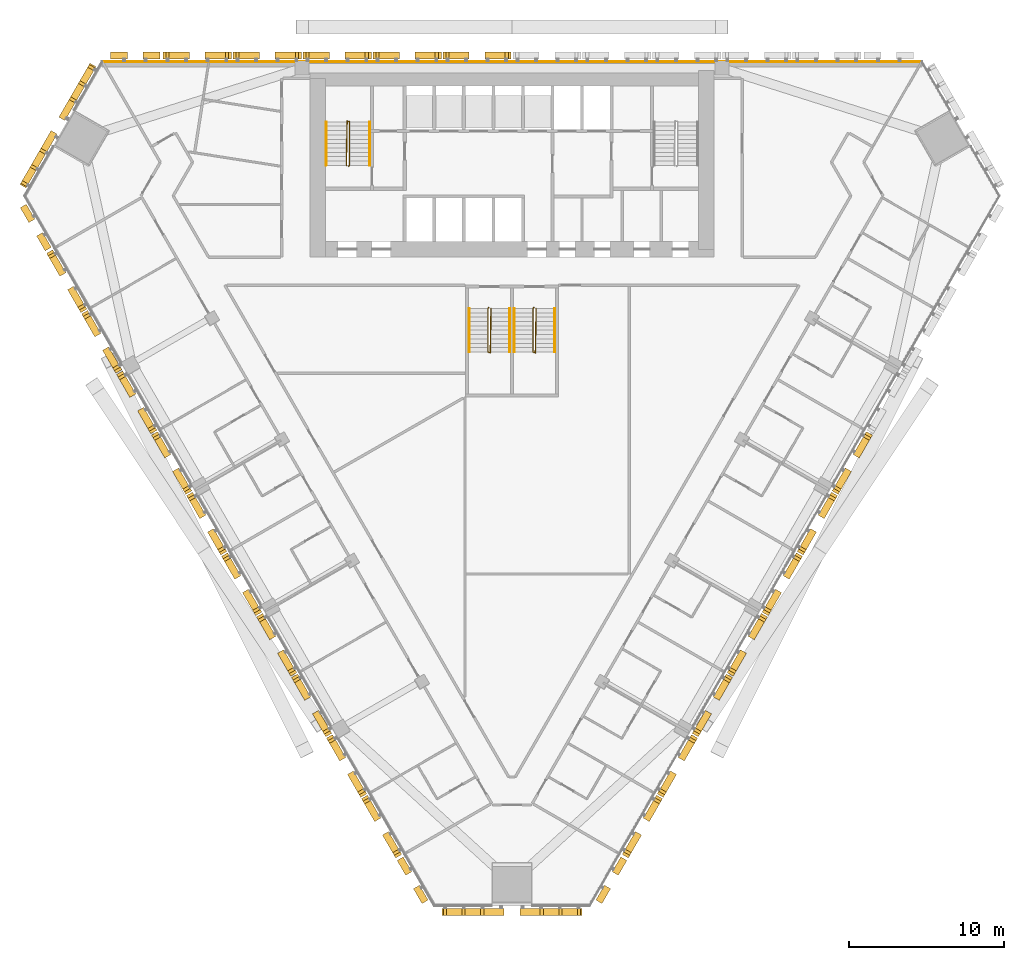
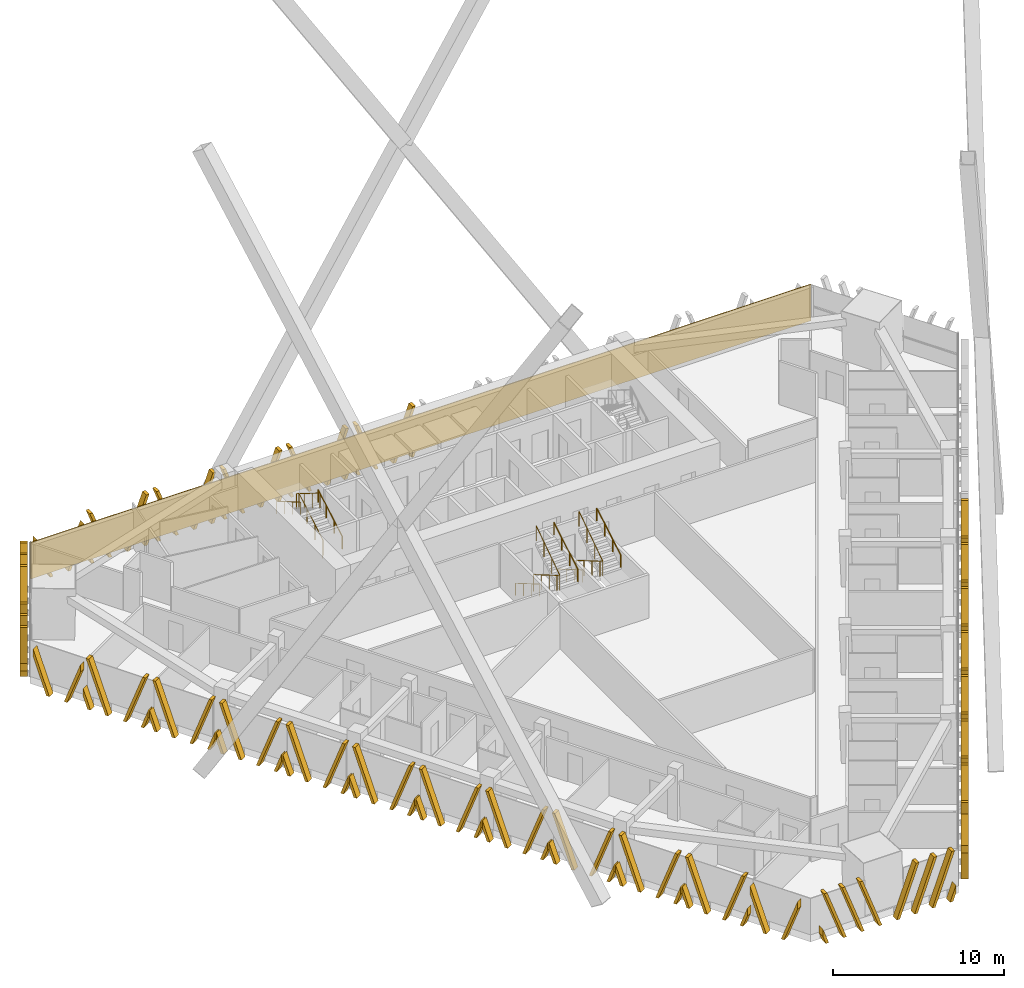
# One storey, part 22 of 24: 28 shading devices, 9 railings, 1 covering.
"""IFC4 building model written with IfcOpenShell, lengths in metres."""

from ifc_helpers import new_model, si_unit, direction, frame, frame_2d, origin, origin_2d, place, context, subcontext, project, spatial, polyline, rectangle, circle, outline, extrude, source, transform, mapped, material, layer, layer_set, type_object, element, save


model = new_model("IFC4")

# Units and contexts
model_context = context("Model", 3, precision=1e-05, world=origin(), true_north=direction((0.0, 1.0)))
body_context = subcontext(model_context, "Body", "Model", "MODEL_VIEW")
ifc_project = project(units=[si_unit("LENGTHUNIT", "METRE"), si_unit("AREAUNIT", "SQUARE_METRE"), si_unit("VOLUMEUNIT", "CUBIC_METRE"), si_unit("PLANEANGLEUNIT", "RADIAN"), si_unit("MASSUNIT", "GRAM", prefix="KILO")], contexts=[model_context])

# Site, building, storey
site_placement = place(None, origin())
site = spatial("IfcSite", under=ifc_project, at=site_placement, CompositionType="ELEMENT")
building_placement = place(site_placement, origin())
building = spatial("IfcBuilding", under=site, at=building_placement, Name="Altiplano Prism Tower", CompositionType="ELEMENT")
storey_placement = place(building_placement, frame((0.0, 0.0, 27.0)))
storey = spatial("IfcBuildingStorey", under=building, at=storey_placement, Name="L05", CompositionType="ELEMENT", Elevation=27.0)

# Railings
ifc_material_1 = material(Name="Steel S355", Category="steel")
railing_type_1 = type_object("IfcRailingType", Name="Stair guard 1100", PredefinedType="GUARDRAIL", material=ifc_material_1)
railing_1_placement = place(storey_placement, frame((74.5, 98.25, 0.0)))
element("IfcRailing", 1, at=railing_1_placement, inside=storey, type_object=railing_type_1, Name="L05 ST1 stair guard 1", PredefinedType="GUARDRAIL", context=body_context, shape_type="SweptSolid", body=[
    extrude(circle(Radius=0.02392578125, at=origin_2d()), frame((0.0, 0.0, 1.076171875), z_axis=(0.280808744504, 0.280808744504, 0.917765164963), x_axis=(-0.707106781187, 0.707106781187, 0.0)), (0.0, 0.0, 1.0), 0.17822265625),
    extrude(circle(Radius=0.02392578125, at=origin_2d()), frame((0.050048828125, 0.050048828125, 1.23974609375), z_axis=(0.0, 0.863360870873, 0.504586966384), x_axis=(-1.0, 0.0, 0.0)), (0.0, 0.0, 1.0), 3.2431640625),
    extrude(circle(Radius=0.02392578125, at=origin_2d()), frame((0.050048828125, 2.85009765625, 2.8759765625), z_axis=(-0.949145278916, 0.314838433982, 0.0), x_axis=(-0.314838433982, -0.949145278916, 0.0)), (0.0, 0.0, 1.0), 0.158203125),
    extrude(circle(Radius=0.02392578125, at=origin_2d()), frame((-0.10009765625, 2.89990234375, 2.8759765625), z_axis=(-0.01477401265, -0.845377694409, 0.533964682676), x_axis=(0.999847325713, -0.01747355902, 0.0)), (0.0, 0.0, 1.0), 3.37109375),
    extrude(circle(Radius=0.02099609375, at=origin_2d()), origin(), (0.0, 0.0, 1.0), 1.052001953125),
    extrude(circle(Radius=0.02099609375, at=origin_2d()), frame((0.050048828125, 0.050048828125, 0.16357421875)), (0.0, 0.0, 1.0), 1.052001953125),
    extrude(circle(Radius=0.02099609375, at=origin_2d()), frame((0.050048828125, 0.9833984375, 0.708984375)), (0.0, 0.0, 1.0), 1.052001953125),
    extrude(circle(Radius=0.02099609375, at=origin_2d()), frame((0.050048828125, 1.916748046875, 1.254638671875)), (0.0, 0.0, 1.0), 1.052001953125),
    extrude(circle(Radius=0.02099609375, at=origin_2d()), frame((0.050048828125, 2.85009765625, 1.800048828125)), (0.0, 0.0, 1.0), 1.052001953125),
    extrude(circle(Radius=0.02099609375, at=origin_2d()), frame((-0.10009765625, 2.89990234375, 1.800048828125)), (0.0, 0.0, 1.0), 1.052001953125),
    extrude(circle(Radius=0.02099609375, at=origin_2d()), frame((-0.11669921875, 1.949951171875, 2.400146484375)), (0.0, 0.0, 1.0), 1.052001953125),
    extrude(circle(Radius=0.02099609375, at=origin_2d()), frame((-0.13330078125, 1.0, 3.0)), (0.0, 0.0, 1.0), 1.052001953125),
    extrude(circle(Radius=0.02099609375, at=origin_2d()), frame((-0.14990234375, 0.050048828125, 3.60009765625)), (0.0, 0.0, 1.0), 1.052001953125),
])
railing_2_placement = place(storey_placement, frame((83.5, 89.14990234375, 0.0)))
element("IfcRailing", 2, at=railing_2_placement, inside=storey, type_object=railing_type_1, Name="L05 ST3A stair guard 1", PredefinedType="GUARDRAIL", context=body_context, shape_type="SweptSolid", body=[
    extrude(circle(Radius=0.02392578125, at=origin_2d()), frame((0.0, 0.0, 1.076171875), z_axis=(-0.280916556609, -0.279546231943, 0.91811752648), x_axis=(0.705375805398, -0.708833529934, 0.0)), (0.0, 0.0, 1.0), 0.17822265625),
    extrude(circle(Radius=0.02392578125, at=origin_2d()), frame((-0.050048828125, -0.0498046875, 1.23974609375), z_axis=(0.0, -0.863360870873, 0.504586966384), x_axis=(1.0, 0.0, 0.0)), (0.0, 0.0, 1.0), 3.2431640625),
    extrude(circle(Radius=0.02392578125, at=origin_2d()), frame((-0.050048828125, -2.849853515625, 2.8759765625), z_axis=(0.948683298051, -0.316227766017, 0.0), x_axis=(0.316227766017, 0.948683298051, 0.0)), (0.0, 0.0, 1.0), 0.158203125),
    extrude(circle(Radius=0.02392578125, at=origin_2d()), frame((0.10009765625, -2.89990234375, 2.8759765625), z_axis=(0.014773108175, 0.84539835705, 0.533931993021), x_axis=(-0.999847351862, 0.017472062685, 0.0)), (0.0, 0.0, 1.0), 3.371337890625),
    extrude(circle(Radius=0.02099609375, at=origin_2d()), origin(), (0.0, 0.0, 1.0), 1.052001953125),
    extrude(circle(Radius=0.02099609375, at=origin_2d()), frame((-0.050048828125, -0.0498046875, 0.16357421875)), (0.0, 0.0, 1.0), 1.052001953125),
    extrude(circle(Radius=0.02099609375, at=origin_2d()), frame((-0.050048828125, -0.983154296875, 0.708984375)), (0.0, 0.0, 1.0), 1.052001953125),
    extrude(circle(Radius=0.02099609375, at=origin_2d()), frame((-0.050048828125, -1.91650390625, 1.254638671875)), (0.0, 0.0, 1.0), 1.052001953125),
    extrude(circle(Radius=0.02099609375, at=origin_2d()), frame((-0.050048828125, -2.849853515625, 1.800048828125)), (0.0, 0.0, 1.0), 1.052001953125),
    extrude(circle(Radius=0.02099609375, at=origin_2d()), frame((0.10009765625, -2.89990234375, 1.800048828125)), (0.0, 0.0, 1.0), 1.052001953125),
    extrude(circle(Radius=0.02099609375, at=origin_2d()), frame((0.11669921875, -1.949951171875, 2.400146484375)), (0.0, 0.0, 1.0), 1.052001953125),
    extrude(circle(Radius=0.02099609375, at=origin_2d()), frame((0.13330078125, -0.999755859375, 3.0)), (0.0, 0.0, 1.0), 1.052001953125),
    extrude(circle(Radius=0.02099609375, at=origin_2d()), frame((0.14990234375, -0.0498046875, 3.60009765625)), (0.0, 0.0, 1.0), 1.052001953125),
])
railing_3_placement = place(storey_placement, frame((86.39990234375, 89.14990234375, 0.0)))
element("IfcRailing", 3, at=railing_3_placement, inside=storey, type_object=railing_type_1, Name="L05 ST3B stair guard 1", PredefinedType="GUARDRAIL", context=body_context, shape_type="SweptSolid", body=[
    extrude(circle(Radius=0.02392578125, at=origin_2d()), frame((0.0, 0.0, 1.076171875), z_axis=(-0.279653641804, -0.279653641804, 0.918470294159), x_axis=(0.707106781187, -0.707106781187, 0.0)), (0.0, 0.0, 1.0), 0.177978515625),
    extrude(circle(Radius=0.02392578125, at=origin_2d()), frame((-0.0498046875, -0.0498046875, 1.23974609375), z_axis=(0.0, -0.863360870873, 0.504586966384), x_axis=(1.0, 0.0, 0.0)), (0.0, 0.0, 1.0), 3.2431640625),
    extrude(circle(Radius=0.02392578125, at=origin_2d()), frame((-0.0498046875, -2.849853515625, 2.8759765625), z_axis=(0.948528701346, -0.316691178788, 0.0), x_axis=(0.316691178788, 0.948528701346, 0.0)), (0.0, 0.0, 1.0), 0.157958984375),
    extrude(circle(Radius=0.02392578125, at=origin_2d()), frame((0.10009765625, -2.89990234375, 2.8759765625), z_axis=(0.014845509451, 0.845397450405, 0.533931420407), x_axis=(-0.999845851991, 0.017557683712, 0.0)), (0.0, 0.0, 1.0), 3.371337890625),
    extrude(circle(Radius=0.02099609375, at=origin_2d()), origin(), (0.0, 0.0, 1.0), 1.052001953125),
    extrude(circle(Radius=0.02099609375, at=origin_2d()), frame((-0.0498046875, -0.0498046875, 0.16357421875)), (0.0, 0.0, 1.0), 1.052001953125),
    extrude(circle(Radius=0.02099609375, at=origin_2d()), frame((-0.0498046875, -0.983154296875, 0.708984375)), (0.0, 0.0, 1.0), 1.052001953125),
    extrude(circle(Radius=0.02099609375, at=origin_2d()), frame((-0.0498046875, -1.91650390625, 1.254638671875)), (0.0, 0.0, 1.0), 1.052001953125),
    extrude(circle(Radius=0.02099609375, at=origin_2d()), frame((-0.0498046875, -2.849853515625, 1.800048828125)), (0.0, 0.0, 1.0), 1.052001953125),
    extrude(circle(Radius=0.02099609375, at=origin_2d()), frame((0.10009765625, -2.89990234375, 1.800048828125)), (0.0, 0.0, 1.0), 1.052001953125),
    extrude(circle(Radius=0.02099609375, at=origin_2d()), frame((0.11669921875, -1.949951171875, 2.400146484375)), (0.0, 0.0, 1.0), 1.052001953125),
    extrude(circle(Radius=0.02099609375, at=origin_2d()), frame((0.133544921875, -0.999755859375, 3.0)), (0.0, 0.0, 1.0), 1.052001953125),
    extrude(circle(Radius=0.02099609375, at=origin_2d()), frame((0.150146484375, -0.0498046875, 3.60009765625)), (0.0, 0.0, 1.0), 1.052001953125),
])
railing_type_2 = type_object("IfcRailingType", Name="Stair handrail 900", PredefinedType="HANDRAIL", material=ifc_material_1)
railing_4_placement = place(storey_placement, frame((75.85009765625, 98.300048828125, 0.16357421875)))
element("IfcRailing", 4, at=railing_4_placement, inside=storey, type_object=railing_type_2, Name="L05 ST1 stair handrail 1", PredefinedType="HANDRAIL", context=body_context, shape_type="SweptSolid", body=[
    extrude(circle(Radius=0.02392578125, at=origin_2d()), frame((0.0, 0.0, 0.8759765625), z_axis=(0.0, 0.863360870873, 0.504586966384), x_axis=(-1.0, 0.0, 0.0)), (0.0, 0.0, 1.0), 3.2431640625),
    extrude(circle(Radius=0.02099609375, at=origin_2d()), origin(), (0.0, 0.0, 1.0), 0.851806640625),
    extrude(circle(Radius=0.02099609375, at=origin_2d()), frame((0.0, 0.933349609375, 0.54541015625)), (0.0, 0.0, 1.0), 0.851806640625),
    extrude(circle(Radius=0.02099609375, at=origin_2d()), frame((0.0, 1.86669921875, 1.091064453125)), (0.0, 0.0, 1.0), 0.851806640625),
    extrude(circle(Radius=0.02099609375, at=origin_2d()), frame((0.0, 2.800048828125, 1.636474609375)), (0.0, 0.0, 1.0), 0.851806640625),
])
for number, where, name in (
    (5, (73.050048828125, 101.10009765625, 1.963623046875), "L05 ST1 stair handrail 2"),
    (6, (82.25, 89.10009765625, 0.16357421875), "L05 ST3A stair handrail 1"),
):
    element("IfcRailing", number, at=place(storey_placement, frame(where)), inside=storey, type_object=railing_type_2, Name=name, PredefinedType="HANDRAIL", context=body_context, shape_type="SweptSolid", body=[
        extrude(circle(Radius=0.02392578125, at=origin_2d()), frame((0.0, 0.0, 0.8759765625), z_axis=(0.0, -0.863360870873, 0.504586966384), x_axis=(1.0, 0.0, 0.0)), (0.0, 0.0, 1.0), 3.2431640625),
        extrude(circle(Radius=0.02099609375, at=origin_2d()), origin(), (0.0, 0.0, 1.0), 0.851806640625),
        extrude(circle(Radius=0.02099609375, at=origin_2d()), frame((0.0, -0.933349609375, 0.54541015625)), (0.0, 0.0, 1.0), 0.851806640625),
        extrude(circle(Radius=0.02099609375, at=origin_2d()), frame((0.0, -1.86669921875, 1.091064453125)), (0.0, 0.0, 1.0), 0.851806640625),
        extrude(circle(Radius=0.02099609375, at=origin_2d()), frame((0.0, -2.800048828125, 1.636474609375)), (0.0, 0.0, 1.0), 0.851806640625),
    ])
railing_5_placement = place(storey_placement, frame((84.85009765625, 86.300048828125, 1.963623046875)))
element("IfcRailing", 7, at=railing_5_placement, inside=storey, type_object=railing_type_2, Name="L05 ST3A stair handrail 2", PredefinedType="HANDRAIL", context=body_context, shape_type="SweptSolid", body=[
    extrude(circle(Radius=0.02392578125, at=origin_2d()), frame((0.0, 0.0, 0.8759765625), z_axis=(0.0, 0.863360870873, 0.504586966384), x_axis=(-1.0, 0.0, 0.0)), (0.0, 0.0, 1.0), 3.2431640625),
    extrude(circle(Radius=0.02099609375, at=origin_2d()), origin(), (0.0, 0.0, 1.0), 0.851806640625),
    extrude(circle(Radius=0.02099609375, at=origin_2d()), frame((0.0, 0.933349609375, 0.54541015625)), (0.0, 0.0, 1.0), 0.851806640625),
    extrude(circle(Radius=0.02099609375, at=origin_2d()), frame((0.0, 1.86669921875, 1.091064453125)), (0.0, 0.0, 1.0), 0.851806640625),
    extrude(circle(Radius=0.02099609375, at=origin_2d()), frame((0.0, 2.800048828125, 1.636474609375)), (0.0, 0.0, 1.0), 0.851806640625),
])
railing_6_placement = place(storey_placement, frame((85.14990234375, 89.10009765625, 0.16357421875)))
element("IfcRailing", 8, at=railing_6_placement, inside=storey, type_object=railing_type_2, Name="L05 ST3B stair handrail 1", PredefinedType="HANDRAIL", context=body_context, shape_type="SweptSolid", body=[
    extrude(circle(Radius=0.02392578125, at=origin_2d()), frame((0.0, 0.0, 0.8759765625), z_axis=(0.0, -0.863360870873, 0.504586966384), x_axis=(1.0, 0.0, 0.0)), (0.0, 0.0, 1.0), 3.2431640625),
    extrude(circle(Radius=0.02099609375, at=origin_2d()), origin(), (0.0, 0.0, 1.0), 0.851806640625),
    extrude(circle(Radius=0.02099609375, at=origin_2d()), frame((0.0, -0.933349609375, 0.54541015625)), (0.0, 0.0, 1.0), 0.851806640625),
    extrude(circle(Radius=0.02099609375, at=origin_2d()), frame((0.0, -1.86669921875, 1.091064453125)), (0.0, 0.0, 1.0), 0.851806640625),
    extrude(circle(Radius=0.02099609375, at=origin_2d()), frame((0.0, -2.800048828125, 1.636474609375)), (0.0, 0.0, 1.0), 0.851806640625),
])
railing_7_placement = place(storey_placement, frame((87.75, 86.300048828125, 1.963623046875)))
element("IfcRailing", 9, at=railing_7_placement, inside=storey, type_object=railing_type_2, Name="L05 ST3B stair handrail 2", PredefinedType="HANDRAIL", context=body_context, shape_type="SweptSolid", body=[
    extrude(circle(Radius=0.02392578125, at=origin_2d()), frame((0.0, 0.0, 0.8759765625), z_axis=(0.0, 0.863360870873, 0.504586966384), x_axis=(-1.0, 0.0, 0.0)), (0.0, 0.0, 1.0), 3.2431640625),
    extrude(circle(Radius=0.02099609375, at=origin_2d()), origin(), (0.0, 0.0, 1.0), 0.851806640625),
    extrude(circle(Radius=0.02099609375, at=origin_2d()), frame((0.0, 0.933349609375, 0.54541015625)), (0.0, 0.0, 1.0), 0.851806640625),
    extrude(circle(Radius=0.02099609375, at=origin_2d()), frame((0.0, 1.86669921875, 1.091064453125)), (0.0, 0.0, 1.0), 0.851806640625),
    extrude(circle(Radius=0.02099609375, at=origin_2d()), frame((0.0, 2.800048828125, 1.636474609375)), (0.0, 0.0, 1.0), 0.851806640625),
])

# Covering
ifc_material_2 = material(Name="Warm limestone cast stone", Category="masonry")
ifc_layer = layer(ifc_material_2, 0.06005859375)
ifc_layer_set = layer_set([ifc_layer], Name="Warm limestone cast stone")
covering_type = type_object("IfcCoveringType", Name="Stone cladding 60", PredefinedType="CLADDING", material=ifc_layer_set)
covering_placement = place(storey_placement, frame((58.626953125, 104.969970703125, 0.0), z_axis=(0.0, 0.0, 1.0), x_axis=(1.0, 0.0, 0.0)))
element("IfcCovering", 10, at=covering_placement, inside=storey, type_object=covering_type, Name="Stone cladding north face L05", PredefinedType="CLADDING", context=body_context, shape_type="SweptSolid", body=[
    extrude(rectangle(XDim=52.74609375, YDim=0.06005859375, at=frame_2d((26.373046875, 0.0))), origin(), (0.0, 0.0, 1.0), 2.60009765625),
])

# Shading devices
shading_device_type_1 = type_object("IfcShadingDeviceType", Name="Stone fin panel, narrow closing bay", PredefinedType="USERDEFINED", material=ifc_material_2)
shared_shape_1 = source(origin(), body_context, "Body", "SweptSolid", [
    extrude(outline(polyline([(-1.60009765625, 3.022216796875), (-1.60009765625, 2.47265625), (-0.699951171875, 0.0), (-0.5, 0.0), (-1.60009765625, 3.022216796875)])), frame((0.0, -0.14990234375, 0.0), z_axis=(0.0, -1.0, 0.0), x_axis=(1.0, 0.0, 0.0)), (0.0, 0.0, 1.0), 0.4501953125),
    extrude(outline(polyline([(1.60009765625, 2.47265625), (1.60009765625, 3.022216796875), (0.5, 0.0), (0.699951171875, 0.0), (1.60009765625, 2.47265625)])), frame((0.0, -0.14990234375, 0.0), z_axis=(0.0, -1.0, 0.0), x_axis=(1.0, 0.0, 0.0)), (0.0, 0.0, 1.0), 0.4501953125),
])
shading_device_1_placement = place(storey_placement, origin())
element("IfcShadingDevice", 11, at=shading_device_1_placement, inside=storey, type_object=shading_device_type_1, Name="Fin L05 north face 12", ObjectType="FIN", PredefinedType="USERDEFINED", context=body_context, shape_type="MappedRepresentation", body=[
    mapped(shared_shape_1, transform((60.763427734375, 105.0, -0.5), x_axis=(-1.0, 0.0, 0.0), y_axis=(0.0, -1.0, 0.0), z_axis=(0.0, 0.0, 1.0))),
])
shading_device_2_placement = place(storey_placement, origin())
element("IfcShadingDevice", 12, at=shading_device_2_placement, inside=storey, type_object=shading_device_type_1, Name="Fin L05 south-west face 1", ObjectType="FIN", PredefinedType="USERDEFINED", context=body_context, shape_type="MappedRepresentation", body=[
    mapped(shared_shape_1, transform((54.6953125, 94.489501953125, -0.5), x_axis=(0.499999999907, -0.866025403838, 0.0), y_axis=(0.866025403838, 0.499999999907, 0.0), z_axis=(0.0, 0.0, 1.0))),
])
shading_device_3_placement = place(storey_placement, origin())
element("IfcShadingDevice", 13, at=shading_device_3_placement, inside=storey, type_object=shading_device_type_1, Name="Fin L05 south-west face 12", ObjectType="FIN", PredefinedType="USERDEFINED", context=body_context, shape_type="MappedRepresentation", body=[
    mapped(shared_shape_1, transform((78.931640625, 52.510498046875, -0.5), x_axis=(0.499999999907, -0.866025403838, 0.0), y_axis=(0.866025403838, 0.499999999907, 0.0), z_axis=(0.0, 0.0, 1.0))),
])
shading_device_4_placement = place(storey_placement, origin())
element("IfcShadingDevice", 14, at=shading_device_4_placement, inside=storey, type_object=shading_device_type_1, Name="Fin L05 south-east face 1", ObjectType="FIN", PredefinedType="USERDEFINED", context=body_context, shape_type="MappedRepresentation", body=[
    mapped(shared_shape_1, transform((91.068359375, 52.510498046875, -0.5), x_axis=(0.499999999907, 0.866025403838, 0.0), y_axis=(-0.866025403838, 0.499999999907, 0.0), z_axis=(0.0, 0.0, 1.0))),
])
shading_device_type_2 = type_object("IfcShadingDeviceType", Name="Stone fin panel, standard unit", PredefinedType="USERDEFINED", material=ifc_material_2)
shared_shape_2 = source(origin(), body_context, "Body", "SweptSolid", [
    extrude(outline(polyline([(-2.199951171875, 1.373779296875), (-2.199951171875, 0.82421875), (-1.89990234375, 0.0), (-1.699951171875, 0.0), (-2.199951171875, 1.373779296875)])), frame((0.0, -0.14990234375, 0.0), z_axis=(0.0, -1.0, 0.0), x_axis=(1.0, 0.0, 0.0)), (0.0, 0.0, 1.0), 0.4501953125),
    extrude(outline(polyline([(-2.01025390625, 3.60009765625), (-0.699951171875, 0.0), (-0.5, 0.0), (-1.810302734375, 3.60009765625), (-2.01025390625, 3.60009765625)])), frame((0.0, -0.14990234375, 0.0), z_axis=(0.0, -1.0, 0.0), x_axis=(1.0, 0.0, 0.0)), (0.0, 0.0, 1.0), 0.4501953125),
    extrude(outline(polyline([(1.810302734375, 3.60009765625), (0.5, 0.0), (0.699951171875, 0.0), (2.01025390625, 3.60009765625), (1.810302734375, 3.60009765625)])), frame((0.0, -0.14990234375, 0.0), z_axis=(0.0, -1.0, 0.0), x_axis=(1.0, 0.0, 0.0)), (0.0, 0.0, 1.0), 0.4501953125),
    extrude(outline(polyline([(2.199951171875, 0.82421875), (2.199951171875, 1.373779296875), (1.699951171875, 0.0), (1.89990234375, 0.0), (2.199951171875, 0.82421875)])), frame((0.0, -0.14990234375, 0.0), z_axis=(0.0, -1.0, 0.0), x_axis=(1.0, 0.0, 0.0)), (0.0, 0.0, 1.0), 0.4501953125),
])
shading_device_5_placement = place(storey_placement, origin())
element("IfcShadingDevice", 15, at=shading_device_5_placement, inside=storey, type_object=shading_device_type_2, Name="Fin L05 north face 7", ObjectType="FIN", PredefinedType="USERDEFINED", context=body_context, shape_type="MappedRepresentation", body=[
    mapped(shared_shape_2, transform((82.75, 105.0, -0.5), x_axis=(-1.0, 0.0, 0.0), y_axis=(0.0, -1.0, 0.0), z_axis=(0.0, 0.0, 1.0))),
])
shading_device_6_placement = place(storey_placement, origin())
element("IfcShadingDevice", 16, at=shading_device_6_placement, inside=storey, type_object=shading_device_type_2, Name="Fin L05 north face 8", ObjectType="FIN", PredefinedType="USERDEFINED", context=body_context, shape_type="MappedRepresentation", body=[
    mapped(shared_shape_2, transform((78.25, 105.0, -0.5), x_axis=(-1.0, 0.0, 0.0), y_axis=(0.0, -1.0, 0.0), z_axis=(0.0, 0.0, 1.0))),
])
shading_device_7_placement = place(storey_placement, origin())
element("IfcShadingDevice", 17, at=shading_device_7_placement, inside=storey, type_object=shading_device_type_2, Name="Fin L05 north face 9", ObjectType="FIN", PredefinedType="USERDEFINED", context=body_context, shape_type="MappedRepresentation", body=[
    mapped(shared_shape_2, transform((73.75, 105.0, -0.5), x_axis=(-1.0, 0.0, 0.0), y_axis=(0.0, -1.0, 0.0), z_axis=(0.0, 0.0, 1.0))),
])
shading_device_8_placement = place(storey_placement, origin())
element("IfcShadingDevice", 18, at=shading_device_8_placement, inside=storey, type_object=shading_device_type_2, Name="Fin L05 north face 10", ObjectType="FIN", PredefinedType="USERDEFINED", context=body_context, shape_type="MappedRepresentation", body=[
    mapped(shared_shape_2, transform((69.25, 105.0, -0.5), x_axis=(-1.0, 0.0, 0.0), y_axis=(0.0, -1.0, 0.0), z_axis=(0.0, 0.0, 1.0))),
])
shading_device_9_placement = place(storey_placement, origin())
element("IfcShadingDevice", 19, at=shading_device_9_placement, inside=storey, type_object=shading_device_type_2, Name="Fin L05 north face 11", ObjectType="FIN", PredefinedType="USERDEFINED", context=body_context, shape_type="MappedRepresentation", body=[
    mapped(shared_shape_2, transform((64.75, 105.0, -0.5), x_axis=(-1.0, 0.0, 0.0), y_axis=(0.0, -1.0, 0.0), z_axis=(0.0, 0.0, 1.0))),
])
shading_device_10_placement = place(storey_placement, origin())
element("IfcShadingDevice", 20, at=shading_device_10_placement, inside=storey, type_object=shading_device_type_2, Name="Fin L05 south-west face 2", ObjectType="FIN", PredefinedType="USERDEFINED", context=body_context, shape_type="MappedRepresentation", body=[
    mapped(shared_shape_2, transform((56.6884765625, 91.037109375, -0.5), x_axis=(0.499999999907, -0.866025403838, 0.0), y_axis=(0.866025403838, 0.499999999907, 0.0), z_axis=(0.0, 0.0, 1.0))),
])
shading_device_11_placement = place(storey_placement, origin())
element("IfcShadingDevice", 21, at=shading_device_11_placement, inside=storey, type_object=shading_device_type_2, Name="Fin L05 south-west face 3", ObjectType="FIN", PredefinedType="USERDEFINED", context=body_context, shape_type="MappedRepresentation", body=[
    mapped(shared_shape_2, transform((58.9384765625, 87.139892578125, -0.5), x_axis=(0.499999999907, -0.866025403838, 0.0), y_axis=(0.866025403838, 0.499999999907, 0.0), z_axis=(0.0, 0.0, 1.0))),
])
shading_device_12_placement = place(storey_placement, origin())
element("IfcShadingDevice", 22, at=shading_device_12_placement, inside=storey, type_object=shading_device_type_2, Name="Fin L05 south-west face 4", ObjectType="FIN", PredefinedType="USERDEFINED", context=body_context, shape_type="MappedRepresentation", body=[
    mapped(shared_shape_2, transform((61.1884765625, 83.24267578125, -0.5), x_axis=(0.499999999907, -0.866025403838, 0.0), y_axis=(0.866025403838, 0.499999999907, 0.0), z_axis=(0.0, 0.0, 1.0))),
])
shading_device_13_placement = place(storey_placement, origin())
element("IfcShadingDevice", 23, at=shading_device_13_placement, inside=storey, type_object=shading_device_type_2, Name="Fin L05 south-west face 5", ObjectType="FIN", PredefinedType="USERDEFINED", context=body_context, shape_type="MappedRepresentation", body=[
    mapped(shared_shape_2, transform((63.4384765625, 79.345703125, -0.5), x_axis=(0.499999999907, -0.866025403838, 0.0), y_axis=(0.866025403838, 0.499999999907, 0.0), z_axis=(0.0, 0.0, 1.0))),
])
shading_device_14_placement = place(storey_placement, origin())
element("IfcShadingDevice", 24, at=shading_device_14_placement, inside=storey, type_object=shading_device_type_2, Name="Fin L05 south-west face 6", ObjectType="FIN", PredefinedType="USERDEFINED", context=body_context, shape_type="MappedRepresentation", body=[
    mapped(shared_shape_2, transform((65.6884765625, 75.448486328125, -0.5), x_axis=(0.499999999907, -0.866025403838, 0.0), y_axis=(0.866025403838, 0.499999999907, 0.0), z_axis=(0.0, 0.0, 1.0))),
])
shading_device_15_placement = place(storey_placement, origin())
element("IfcShadingDevice", 25, at=shading_device_15_placement, inside=storey, type_object=shading_device_type_2, Name="Fin L05 south-west face 7", ObjectType="FIN", PredefinedType="USERDEFINED", context=body_context, shape_type="MappedRepresentation", body=[
    mapped(shared_shape_2, transform((67.9384765625, 71.551513671875, -0.5), x_axis=(0.499999999907, -0.866025403838, 0.0), y_axis=(0.866025403838, 0.499999999907, 0.0), z_axis=(0.0, 0.0, 1.0))),
])
shading_device_16_placement = place(storey_placement, origin())
element("IfcShadingDevice", 26, at=shading_device_16_placement, inside=storey, type_object=shading_device_type_2, Name="Fin L05 south-west face 8", ObjectType="FIN", PredefinedType="USERDEFINED", context=body_context, shape_type="MappedRepresentation", body=[
    mapped(shared_shape_2, transform((70.1884765625, 67.654296875, -0.5), x_axis=(0.499999999907, -0.866025403838, 0.0), y_axis=(0.866025403838, 0.499999999907, 0.0), z_axis=(0.0, 0.0, 1.0))),
])
shading_device_17_placement = place(storey_placement, origin())
element("IfcShadingDevice", 27, at=shading_device_17_placement, inside=storey, type_object=shading_device_type_2, Name="Fin L05 south-west face 9", ObjectType="FIN", PredefinedType="USERDEFINED", context=body_context, shape_type="MappedRepresentation", body=[
    mapped(shared_shape_2, transform((72.4384765625, 63.75732421875, -0.5), x_axis=(0.499999999907, -0.866025403838, 0.0), y_axis=(0.866025403838, 0.499999999907, 0.0), z_axis=(0.0, 0.0, 1.0))),
])
shading_device_18_placement = place(storey_placement, origin())
element("IfcShadingDevice", 28, at=shading_device_18_placement, inside=storey, type_object=shading_device_type_2, Name="Fin L05 south-west face 10", ObjectType="FIN", PredefinedType="USERDEFINED", context=body_context, shape_type="MappedRepresentation", body=[
    mapped(shared_shape_2, transform((74.6884765625, 59.860107421875, -0.5), x_axis=(0.499999999907, -0.866025403838, 0.0), y_axis=(0.866025403838, 0.499999999907, 0.0), z_axis=(0.0, 0.0, 1.0))),
])
shading_device_19_placement = place(storey_placement, origin())
element("IfcShadingDevice", 29, at=shading_device_19_placement, inside=storey, type_object=shading_device_type_2, Name="Fin L05 south-west face 11", ObjectType="FIN", PredefinedType="USERDEFINED", context=body_context, shape_type="MappedRepresentation", body=[
    mapped(shared_shape_2, transform((76.9384765625, 55.962890625, -0.5), x_axis=(0.499999999907, -0.866025403838, 0.0), y_axis=(0.866025403838, 0.499999999907, 0.0), z_axis=(0.0, 0.0, 1.0))),
])
shading_device_20_placement = place(storey_placement, origin())
element("IfcShadingDevice", 30, at=shading_device_20_placement, inside=storey, type_object=shading_device_type_2, Name="Fin L05 south-east face 2", ObjectType="FIN", PredefinedType="USERDEFINED", context=body_context, shape_type="MappedRepresentation", body=[
    mapped(shared_shape_2, transform((93.0615234375, 55.962890625, -0.5), x_axis=(0.499999999907, 0.866025403838, 0.0), y_axis=(-0.866025403838, 0.499999999907, 0.0), z_axis=(0.0, 0.0, 1.0))),
])
shading_device_21_placement = place(storey_placement, origin())
element("IfcShadingDevice", 31, at=shading_device_21_placement, inside=storey, type_object=shading_device_type_2, Name="Fin L05 south-east face 3", ObjectType="FIN", PredefinedType="USERDEFINED", context=body_context, shape_type="MappedRepresentation", body=[
    mapped(shared_shape_2, transform((95.3115234375, 59.860107421875, -0.5), x_axis=(0.499999999907, 0.866025403838, 0.0), y_axis=(-0.866025403838, 0.499999999907, 0.0), z_axis=(0.0, 0.0, 1.0))),
])
shading_device_22_placement = place(storey_placement, origin())
element("IfcShadingDevice", 32, at=shading_device_22_placement, inside=storey, type_object=shading_device_type_2, Name="Fin L05 south-east face 4", ObjectType="FIN", PredefinedType="USERDEFINED", context=body_context, shape_type="MappedRepresentation", body=[
    mapped(shared_shape_2, transform((97.5615234375, 63.75732421875, -0.5), x_axis=(0.499999999907, 0.866025403838, 0.0), y_axis=(-0.866025403838, 0.499999999907, 0.0), z_axis=(0.0, 0.0, 1.0))),
])
shading_device_23_placement = place(storey_placement, origin())
element("IfcShadingDevice", 33, at=shading_device_23_placement, inside=storey, type_object=shading_device_type_2, Name="Fin L05 south-east face 5", ObjectType="FIN", PredefinedType="USERDEFINED", context=body_context, shape_type="MappedRepresentation", body=[
    mapped(shared_shape_2, transform((99.8115234375, 67.654296875, -0.5), x_axis=(0.499999999907, 0.866025403838, 0.0), y_axis=(-0.866025403838, 0.499999999907, 0.0), z_axis=(0.0, 0.0, 1.0))),
])
shading_device_24_placement = place(storey_placement, origin())
element("IfcShadingDevice", 34, at=shading_device_24_placement, inside=storey, type_object=shading_device_type_2, Name="Fin L05 south-east face 6", ObjectType="FIN", PredefinedType="USERDEFINED", context=body_context, shape_type="MappedRepresentation", body=[
    mapped(shared_shape_2, transform((102.0615234375, 71.551513671875, -0.5), x_axis=(0.499999999907, 0.866025403838, 0.0), y_axis=(-0.866025403838, 0.499999999907, 0.0), z_axis=(0.0, 0.0, 1.0))),
])
shading_device_25_placement = place(storey_placement, origin())
element("IfcShadingDevice", 35, at=shading_device_25_placement, inside=storey, type_object=shading_device_type_2, Name="Fin L05 south-east face 7", ObjectType="FIN", PredefinedType="USERDEFINED", context=body_context, shape_type="MappedRepresentation", body=[
    mapped(shared_shape_2, transform((104.3115234375, 75.448486328125, -0.5), x_axis=(0.499999999907, 0.866025403838, 0.0), y_axis=(-0.866025403838, 0.499999999907, 0.0), z_axis=(0.0, 0.0, 1.0))),
])
shading_device_26_placement = place(storey_placement, origin())
element("IfcShadingDevice", 36, at=shading_device_26_placement, inside=storey, type_object=shading_device_type_2, Name="Fin L05 south-east face 8", ObjectType="FIN", PredefinedType="USERDEFINED", context=body_context, shape_type="MappedRepresentation", body=[
    mapped(shared_shape_2, transform((106.5615234375, 79.345703125, -0.5), x_axis=(0.499999999907, 0.866025403838, 0.0), y_axis=(-0.866025403838, 0.499999999907, 0.0), z_axis=(0.0, 0.0, 1.0))),
])
shading_device_type_3 = type_object("IfcShadingDeviceType", Name="Stone fin panel, chamfer unit", PredefinedType="USERDEFINED", material=ifc_material_2)
shared_shape_3 = source(origin(), body_context, "Body", "SweptSolid", [
    extrude(outline(polyline([(-4.5, 1.09912109375), (-4.5, 0.549560546875), (-4.300048828125, 0.0), (-4.10009765625, 0.0), (-4.5, 1.09912109375)])), frame((0.0, -0.14990234375, 0.0), z_axis=(0.0, -1.0, 0.0), x_axis=(1.0, 0.0, 0.0)), (0.0, 0.0, 1.0), 0.4501953125),
    extrude(outline(polyline([(-4.410400390625, 3.60009765625), (-3.10009765625, 0.0), (-2.89990234375, 0.0), (-4.210205078125, 3.60009765625), (-4.410400390625, 3.60009765625)])), frame((0.0, -0.14990234375, 0.0), z_axis=(0.0, -1.0, 0.0), x_axis=(1.0, 0.0, 0.0)), (0.0, 0.0, 1.0), 0.4501953125),
    extrude(outline(polyline([(-3.210205078125, 3.60009765625), (-1.89990234375, 0.0), (-1.699951171875, 0.0), (-3.01025390625, 3.60009765625), (-3.210205078125, 3.60009765625)])), frame((0.0, -0.14990234375, 0.0), z_axis=(0.0, -1.0, 0.0), x_axis=(1.0, 0.0, 0.0)), (0.0, 0.0, 1.0), 0.4501953125),
    extrude(outline(polyline([(-2.01025390625, 3.60009765625), (-0.699951171875, 0.0), (-0.5, 0.0), (-1.810302734375, 3.60009765625), (-2.01025390625, 3.60009765625)])), frame((0.0, -0.14990234375, 0.0), z_axis=(0.0, -1.0, 0.0), x_axis=(1.0, 0.0, 0.0)), (0.0, 0.0, 1.0), 0.4501953125),
    extrude(outline(polyline([(1.810302734375, 3.60009765625), (0.5, 0.0), (0.699951171875, 0.0), (2.01025390625, 3.60009765625), (1.810302734375, 3.60009765625)])), frame((0.0, -0.14990234375, 0.0), z_axis=(0.0, -1.0, 0.0), x_axis=(1.0, 0.0, 0.0)), (0.0, 0.0, 1.0), 0.4501953125),
    extrude(outline(polyline([(3.01025390625, 3.60009765625), (1.699951171875, 0.0), (1.89990234375, 0.0), (3.210205078125, 3.60009765625), (3.01025390625, 3.60009765625)])), frame((0.0, -0.14990234375, 0.0), z_axis=(0.0, -1.0, 0.0), x_axis=(1.0, 0.0, 0.0)), (0.0, 0.0, 1.0), 0.4501953125),
    extrude(outline(polyline([(4.210205078125, 3.60009765625), (2.89990234375, 0.0), (3.10009765625, 0.0), (4.410400390625, 3.60009765625), (4.210205078125, 3.60009765625)])), frame((0.0, -0.14990234375, 0.0), z_axis=(0.0, -1.0, 0.0), x_axis=(1.0, 0.0, 0.0)), (0.0, 0.0, 1.0), 0.4501953125),
    extrude(outline(polyline([(4.5, 0.549560546875), (4.5, 1.09912109375), (4.10009765625, 0.0), (4.300048828125, 0.0), (4.5, 0.549560546875)])), frame((0.0, -0.14990234375, 0.0), z_axis=(0.0, -1.0, 0.0), x_axis=(1.0, 0.0, 0.0)), (0.0, 0.0, 1.0), 0.4501953125),
])
shading_device_27_placement = place(storey_placement, origin())
element("IfcShadingDevice", 37, at=shading_device_27_placement, inside=storey, type_object=shading_device_type_3, Name="Fin L05 north-west chamfer 1", ObjectType="FIN", PredefinedType="USERDEFINED", context=body_context, shape_type="MappedRepresentation", body=[
    mapped(shared_shape_3, transform((56.126953125, 100.669921875, -0.5), x_axis=(-0.50000000184, -0.866025402722, 0.0), y_axis=(0.866025402722, -0.50000000184, 0.0), z_axis=(0.0, 0.0, 1.0))),
])
shading_device_28_placement = place(storey_placement, origin())
element("IfcShadingDevice", 38, at=shading_device_28_placement, inside=storey, type_object=shading_device_type_3, Name="Fin L05 south chamfer 1", ObjectType="FIN", PredefinedType="USERDEFINED", context=body_context, shape_type="MappedRepresentation", body=[
    mapped(shared_shape_3, transform((85.0, 50.66015625, -0.5), x_axis=(1.0, 0.0, 0.0), y_axis=(0.0, 1.0, 0.0), z_axis=(0.0, 0.0, 1.0))),
])

save(model, "model.ifc")
